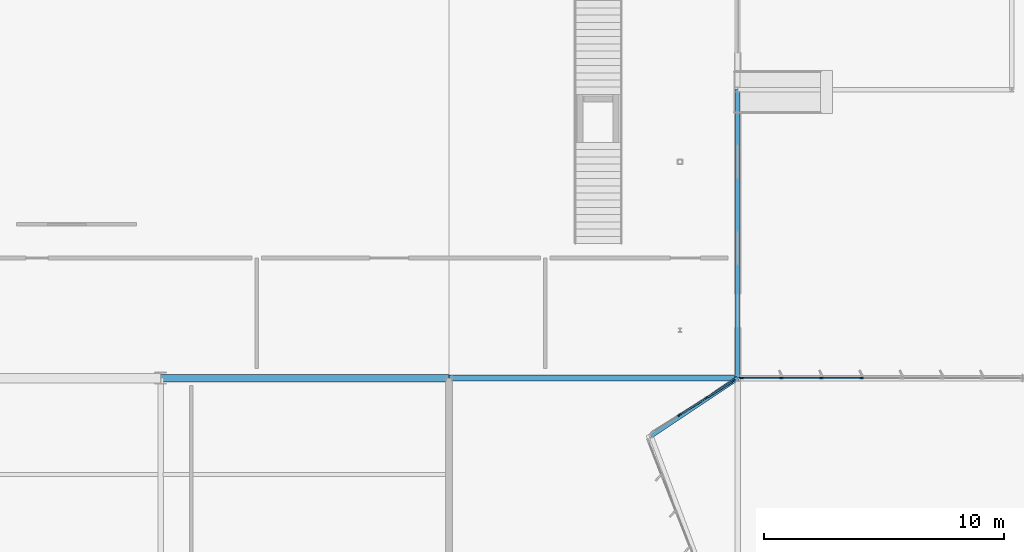
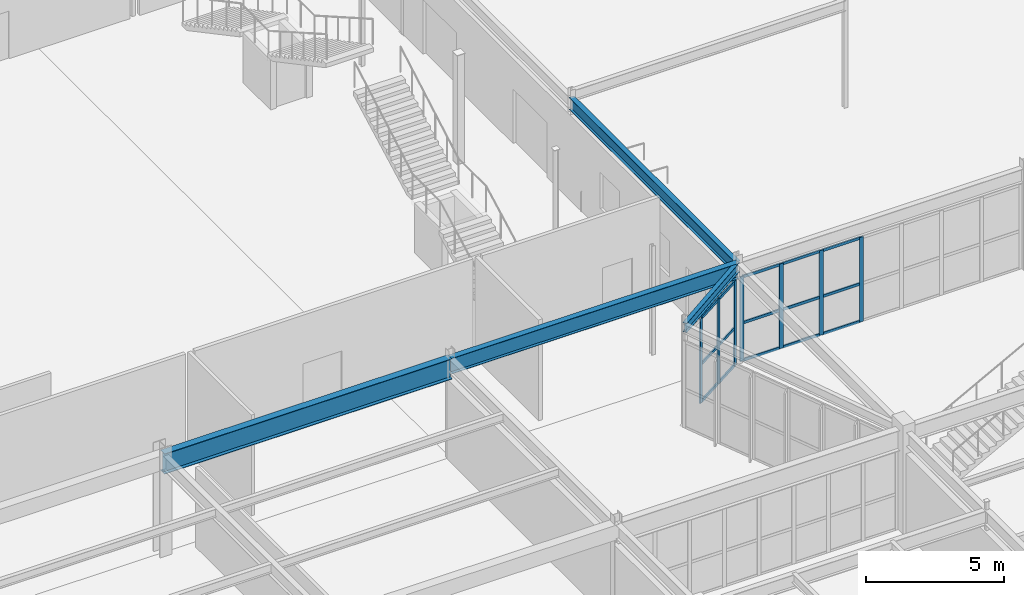
# One storey, part 94 of 199: 22 members, 4 beams, 2 elements without a shape of their own.
"""IFC4 building model written with IfcOpenShell, lengths in metres."""

import ifcopenshell
import ifcopenshell.guid

model = None  # the IFC model being written
_history = None  # IfcOwnerHistory: only IFC2X3 demands one
_inside = {}  # id of a spatial element -> (the spatial element, [elements in it])
_under = {}  # id of a project, library or spatial element -> (it, [spatial elements below it])
_declared = {}  # id of a project -> (the project, [libraries it declares])
_typed = {}  # id of a type object -> (the type object, [elements of that type])
_made_of = {}  # id of a material, layer set ... -> (it, [elements and type objects made of it])


def new_model(schema):
    """Start an empty IFC model of exactly this schema.

    Asked for "IFC4X3", IfcOpenShell would pick the latest addendum, in which some entities
    have other attributes; the version numbers below select the first issue.
    IFC2X3 requires an IfcOwnerHistory on every rooted entity: one is made here for all.
    """
    global model, _history
    if schema == "IFC4X3":
        model = ifcopenshell.file(schema_version=(4, 3, 0, 0))
    else:
        model = ifcopenshell.file(schema=schema)
    _inside.clear()
    _under.clear()
    _declared.clear()
    _typed.clear()
    _made_of.clear()
    _history = None
    if model.schema == "IFC2X3":
        org = make("IfcOrganization", Name="unknown")
        user = make(
            "IfcPersonAndOrganization",
            ThePerson=make("IfcPerson", FamilyName="unknown"),
            TheOrganization=org,
        )
        app = make(
            "IfcApplication",
            ApplicationDeveloper=org,
            Version="unknown",
            ApplicationFullName="unknown",
            ApplicationIdentifier="unknown",
        )
        _history = make(
            "IfcOwnerHistory",
            OwningUser=user,
            OwningApplication=app,
            ChangeAction="ADDED",
            CreationDate=0,
        )
    return model


def make(cls, **values):
    """One entity of the class cls with the attributes given. An attribute that is None is left unset."""
    return model.create_entity(
        cls, **{name: value for name, value in values.items() if value is not None}
    )


def rooted(cls, **values):
    """An entity with a GlobalId (a new one), such as an element, a storey or a relation."""
    return make(cls, GlobalId=ifcopenshell.guid.new(), OwnerHistory=_history, **values)


def si_unit(unit_type, name, prefix=None):
    """IfcSIUnit, for example si_unit("LENGTHUNIT", "METRE", prefix="MILLI")."""
    return make("IfcSIUnit", UnitType=unit_type, Prefix=prefix, Name=name)


def assignment(units):
    """IfcUnitAssignment: the units of a project."""
    return None if units is None else make("IfcUnitAssignment", Units=units)


def point(xyz):
    """IfcCartesianPoint."""
    return None if xyz is None else make("IfcCartesianPoint", Coordinates=xyz)


def direction(xyz):
    """IfcDirection."""
    return None if xyz is None else make("IfcDirection", DirectionRatios=xyz)


def frame(location, z_axis=None, x_axis=None):
    """IfcAxis2Placement3D, a coordinate frame: its origin and axes. An axis left out is left unset."""
    return make(
        "IfcAxis2Placement3D",
        Location=point(location),
        Axis=direction(z_axis),
        RefDirection=direction(x_axis),
    )


def frame_2d(location, x_axis=None):
    """IfcAxis2Placement2D, a coordinate frame in the plane: its origin and x axis."""
    return make(
        "IfcAxis2Placement2D", Location=point(location), RefDirection=direction(x_axis)
    )


def origin():
    """The frame at (0, 0, 0) with its axes left unset."""
    return frame((0.0, 0.0, 0.0))


def origin_2d():
    """The frame at (0, 0) in the plane with its x axis left unset."""
    return frame_2d((0.0, 0.0))


def place(relative_to, where):
    """IfcLocalPlacement: puts the frame where relative to a parent placement (None: the world)."""
    return make(
        "IfcLocalPlacement", PlacementRelTo=relative_to, RelativePlacement=where
    )


def context(
    kind, dimensions, precision=None, world=None, true_north=None, identifier=None
):
    """IfcGeometricRepresentationContext, for example the 3D "Model" context."""
    return make(
        "IfcGeometricRepresentationContext",
        ContextIdentifier=identifier,
        ContextType=kind,
        CoordinateSpaceDimension=dimensions,
        Precision=precision,
        WorldCoordinateSystem=world,
        TrueNorth=true_north,
    )


def subcontext(parent, identifier, kind, view, scale=None):
    """IfcGeometricRepresentationSubContext, for example "Body" below "Model"."""
    return make(
        "IfcGeometricRepresentationSubContext",
        ContextIdentifier=identifier,
        ContextType=kind,
        ParentContext=parent,
        TargetScale=scale,
        TargetView=view,
    )


def project(units=None, contexts=None):
    """IfcProject with its units and contexts."""
    return rooted(
        "IfcProject",
        Name="project",
        RepresentationContexts=contexts,
        UnitsInContext=assignment(units),
    )


def spatial(cls, under=None, at=None, **own):
    """A site, building, storey or space (cls), placed at a placement, below another one or the project."""
    s = rooted(cls, ObjectPlacement=at, **own)
    if under is not None:
        _under.setdefault(under.id(), (under, []))[1].append(s)
    return s


def profile(cls, at=None, kind="AREA", **sizes):
    """A parametric profile (cls). Its sizes go by their IFC names, for example OverallWidth=200.0."""
    return make(cls, ProfileType=kind, Position=at, **sizes)


def rectangle(**sizes):
    """IfcRectangleProfileDef."""
    return profile("IfcRectangleProfileDef", **sizes)


def i_section(**sizes):
    """IfcIShapeProfileDef."""
    return profile("IfcIShapeProfileDef", **sizes)


def extrude(swept, where, along, depth):
    """IfcExtrudedAreaSolid: the profile swept, set in the frame where, extruded along a direction by depth."""
    return make(
        "IfcExtrudedAreaSolid",
        SweptArea=swept,
        Position=where,
        ExtrudedDirection=direction(along),
        Depth=depth,
    )


def shape(context_of_items, identifier, shape_type, items):
    """IfcShapeRepresentation: the items that make up one representation, for example the "Body"."""
    return make(
        "IfcShapeRepresentation",
        ContextOfItems=context_of_items,
        RepresentationIdentifier=identifier,
        RepresentationType=shape_type,
        Items=items,
    )


def material(Name=None, Category=None):
    """IfcMaterial."""
    return make("IfcMaterial", Name=Name, Category=Category)


def layer(
    of_material, thickness, ventilated=None, Name=None, Category=None, Priority=None
):
    """IfcMaterialLayer: one layer of a wall or slab, of a material (None: an air gap)."""
    return make(
        "IfcMaterialLayer",
        Material=of_material,
        LayerThickness=thickness,
        IsVentilated=ventilated,
        Name=Name,
        Category=Category,
        Priority=Priority,
    )


def layer_set(layers, Name=None):
    """IfcMaterialLayerSet."""
    return make("IfcMaterialLayerSet", MaterialLayers=layers, LayerSetName=Name)


def material_profile(
    of_material, cross_section, Name=None, Category=None, Priority=None
):
    """IfcMaterialProfile: a cross section and its material."""
    return make(
        "IfcMaterialProfile",
        Name=Name,
        Material=of_material,
        Profile=cross_section,
        Priority=Priority,
        Category=Category,
    )


def profile_set(profiles, Name=None, composite=None):
    """IfcMaterialProfileSet."""
    return make(
        "IfcMaterialProfileSet",
        Name=Name,
        MaterialProfiles=profiles,
        CompositeProfile=composite,
    )


def made_of(thing, what):
    """Note that an element or type object is made of a material, layer set ...; save() writes the relation."""
    if what is not None:
        _made_of.setdefault(what.id(), (what, []))[1].append(thing)
    return thing


def type_object(cls, material=None, **own):
    """A type object (cls), such as IfcWallType, which elements share."""
    return made_of(rooted(cls, **own), material)


def element(
    cls,
    number,
    at=None,
    inside=None,
    cuts=None,
    type_object=None,
    material=None,
    context=None,
    identifier="Body",
    shape_type=None,
    held_by="IfcProductDefinitionShape",
    body=None,
    shapes=None,
    **own,
):
    """One element of the class cls, such as IfcWall. Its Tag is "e" and its number.

    at: its placement. inside: the storey or other place that contains it. cuts: it is an
    opening in that element (IfcRelVoidsElement). A single representation is given by context,
    identifier, shape_type and body (its items); several are given by shapes. held_by: the class
    of the entity that holds the representations. save() writes the other relations.
    """
    e = rooted(cls, Tag="e%d" % number, ObjectPlacement=at, **own)
    if body is not None:
        shapes = [shape(context, identifier, shape_type, body)]
    if shapes is not None:
        e.Representation = make(held_by, Representations=shapes)
    if inside is not None:
        _inside.setdefault(inside.id(), (inside, []))[1].append(e)
    if cuts is not None:
        rooted(
            "IfcRelVoidsElement", RelatingBuildingElement=cuts, RelatedOpeningElement=e
        )
    if type_object is not None:
        _typed.setdefault(type_object.id(), (type_object, []))[1].append(e)
    return made_of(e, material)


def aggregate(whole, parts):
    """IfcRelAggregates: a whole, such as a stair, and the parts it consists of."""
    return rooted("IfcRelAggregates", RelatingObject=whole, RelatedObjects=parts)


def save(model, path):
    """Write the relations noted so far, then the file.

    IfcRelAggregates (storeys below a building ...), IfcRelContainedInSpatialStructure (elements
    in a storey), IfcRelDefinesByType, IfcRelAssociatesMaterial and IfcRelDeclares: one each for
    every whole, place, type object, material and project.
    """
    for whole, parts in _under.values():
        aggregate(whole, parts)
    for where, things in _inside.values():
        rooted(
            "IfcRelContainedInSpatialStructure",
            RelatedElements=things,
            RelatingStructure=where,
        )
    for kind, things in _typed.values():
        rooted("IfcRelDefinesByType", RelatedObjects=things, RelatingType=kind)
    for what, things in _made_of.values():
        rooted("IfcRelAssociatesMaterial", RelatedObjects=things, RelatingMaterial=what)
    for by, libraries in _declared.values():
        rooted("IfcRelDeclares", RelatingContext=by, RelatedDefinitions=libraries)
    model.write(path)


model = new_model("IFC4")

# Units and contexts
model_context = context("Model", 3, precision=1e-05, world=origin(), true_north=direction((0.0, 1.0)))
body_context = subcontext(model_context, "Body", "Model", "MODEL_VIEW")
ifc_project = project(units=[si_unit("LENGTHUNIT", "METRE"), si_unit("AREAUNIT", "SQUARE_METRE"), si_unit("VOLUMEUNIT", "CUBIC_METRE"), si_unit("PLANEANGLEUNIT", "RADIAN"), si_unit("MASSUNIT", "GRAM", prefix="KILO")], contexts=[model_context])

# Site, building, storey
site_placement = place(None, origin())
site = spatial("IfcSite", under=ifc_project, at=site_placement, CompositionType="ELEMENT")
building_placement = place(site_placement, origin())
building = spatial("IfcBuilding", under=site, at=building_placement, Name="Tarnwether General Hospital", CompositionType="ELEMENT")
storey_placement = place(building_placement, origin())
storey = spatial("IfcBuildingStorey", under=building, at=storey_placement, Name="L00", CompositionType="ELEMENT", Elevation=0.0)

# Beams
ifc_material_1 = material(Name="Steel Grade 350 (350 MPa)", Category="steel")
ifc_material_profile_1 = material_profile(ifc_material_1, i_section(OverallWidth=0.300048828125, OverallDepth=0.89990234375, WebThickness=0.011962890625, FlangeThickness=0.02001953125, at=origin_2d()), Name="900WB175")
ifc_profile_set_1 = profile_set([ifc_material_profile_1], Name="Steel Grade 350 (350 MPa)")
beam_type_1 = type_object("IfcBeamType", Name="BM-G01", PredefinedType="BEAM", material=ifc_profile_set_1)
beam_1_placement = place(storey_placement, frame((120.0, 45.60009765625, 3.9951171875), z_axis=(1.0, 0.0, 0.0), x_axis=(0.0, 1.0, 0.0)))
element("IfcBeam", 1, at=beam_1_placement, inside=storey, type_object=beam_type_1, Name="Primary Girder BMG-L00-12000_4560-13200_4560-0761", PredefinedType="BEAM", context=body_context, shape_type="SweptSolid", body=[
    extrude(i_section(OverallWidth=0.300048828125, OverallDepth=0.89990234375, WebThickness=0.011962890625, FlangeThickness=0.02001953125, at=origin_2d()), origin(), (0.0, 0.0, 1.0), 12.0),
])
ifc_material_2 = material(Name="Steel Grade 350 (350 MPa)", Category="steel")
ifc_material_profile_2 = material_profile(ifc_material_2, i_section(OverallWidth=0.25, OverallDepth=0.69189453125, WebThickness=0.009033203125, FlangeThickness=0.01611328125, at=origin_2d()), Name="700WB115")
ifc_profile_set_2 = profile_set([ifc_material_profile_2], Name="Steel Grade 350 (350 MPa)")
beam_type_2 = type_object("IfcBeamType", Name="BM-G02", PredefinedType="BEAM", material=ifc_profile_set_2)
beam_2_placement = place(storey_placement, frame((132.0, 45.60009765625, 4.09912109375), z_axis=(1.0, 0.0, 0.0), x_axis=(0.0, 1.0, 0.0)))
element("IfcBeam", 2, at=beam_2_placement, inside=storey, type_object=beam_type_2, Name="Primary Girder BMG-L00-13200_4560-14400_4560-0774", PredefinedType="BEAM", context=body_context, shape_type="SweptSolid", body=[
    extrude(i_section(OverallWidth=0.25, OverallDepth=0.69189453125, WebThickness=0.009033203125, FlangeThickness=0.01611328125, at=origin_2d()), origin(), (0.0, 0.0, 1.0), 12.0),
])
ifc_material_3 = material(Name="Steel Grade 350 (350 MPa)", Category="steel")
ifc_material_profile_3 = material_profile(ifc_material_3, i_section(OverallWidth=0.208984375, OverallDepth=0.532958984375, WebThickness=0.01025390625, FlangeThickness=0.015625, at=origin_2d()), Name="530UB92.4")
ifc_profile_set_3 = profile_set([ifc_material_profile_3], Name="Steel Grade 350 (350 MPa)")
beam_type_3 = type_object("IfcBeamType", Name="BM-G06", PredefinedType="BEAM", material=ifc_profile_set_3)
beam_3_placement = place(storey_placement, frame((144.0, 45.60009765625, 4.178466796875), z_axis=(0.0, 1.0, 0.0), x_axis=(-1.0, 0.0, 0.0)))
element("IfcBeam", 3, at=beam_3_placement, inside=storey, type_object=beam_type_3, Name="Primary Girder BMG-L00-14400_4560-14400_5760-0793", PredefinedType="BEAM", context=body_context, shape_type="SweptSolid", body=[
    extrude(i_section(OverallWidth=0.208984375, OverallDepth=0.532958984375, WebThickness=0.01025390625, FlangeThickness=0.015625, at=origin_2d()), origin(), (0.0, 0.0, 1.0), 12.0),
])
ifc_material_4 = material(Name="Steel Grade 350 (350 MPa)", Category="steel")
ifc_material_profile_4 = material_profile(ifc_material_4, i_section(OverallWidth=0.177978515625, OverallDepth=0.403076171875, WebThickness=0.007568359375, FlangeThickness=0.010986328125, at=origin_2d()), Name="410UB53.7")
ifc_profile_set_4 = profile_set([ifc_material_profile_4], Name="Steel Grade 350 (350 MPa)")
beam_type_4 = type_object("IfcBeamType", Name="BM-SP2", PredefinedType="SPANDREL", material=ifc_profile_set_4)
beam_4_placement = place(storey_placement, frame((140.39990234375, 43.199951171875, 4.243408203125), z_axis=(0.832041613482, 0.554713217289, 0.0), x_axis=(-0.554713217289, 0.832041613482, 0.0)))
element("IfcBeam", 4, at=beam_4_placement, inside=storey, type_object=beam_type_4, Name="Forecourt South Shard Tie BMG-L00-14040_4320-14400_4560-2225", PredefinedType="SPANDREL", context=body_context, shape_type="SweptSolid", body=[
    extrude(i_section(OverallWidth=0.177978515625, OverallDepth=0.403076171875, WebThickness=0.007568359375, FlangeThickness=0.010986328125, at=origin_2d()), origin(), (0.0, 0.0, 1.0), 4.326904296875),
])

# Curtain wall, members
ifc_material_5 = material(Name="Anodised aluminium", Category="aluminium")
ifc_layer = layer(ifc_material_5, 0.159912109375)
ifc_layer_set = layer_set([ifc_layer], Name="Anodised aluminium")
curtain_wall_type = type_object("IfcCurtainWallType", Name="CW-20", PredefinedType="NOTDEFINED", material=ifc_layer_set)
curtain_wall_1_placement = place(storey_placement, origin())
curtain_wall_1 = element("IfcCurtainWall", 5, at=curtain_wall_1_placement, inside=storey, type_object=curtain_wall_type, Name="Curtain Wall CWG-L00-1441_456-0286", PredefinedType="NOTDEFINED")
ifc_material_6 = material(Name="Anodised aluminium", Category="aluminium")
ifc_material_profile_5 = material_profile(ifc_material_6, rectangle(XDim=0.06005859375, YDim=0.159912109375, at=origin_2d()), Name="ALU-MUL-60x160")
ifc_profile_set_5 = profile_set([ifc_material_profile_5], Name="Anodised aluminium")
member_type_1 = type_object("IfcMemberType", Name="CW-ML1", PredefinedType="MULLION", material=ifc_profile_set_5)
member_1_placement = place(storey_placement, frame((144.1650390625, 45.60009765625, 0.0), z_axis=(0.0, 0.0, 1.0), x_axis=(0.0, 1.0, 0.0)))
member_1 = element("IfcMember", 6, at=member_1_placement, type_object=member_type_1, Name="CW-20 mullion 1", PredefinedType="MULLION", context=body_context, shape_type="SweptSolid", body=[
    extrude(rectangle(XDim=0.06005859375, YDim=0.159912109375, at=origin_2d()), origin(), (0.0, 0.0, 1.0), 3.738037109375),
])
member_2_placement = place(storey_placement, frame((145.806884765625, 45.60009765625, 0.0), z_axis=(0.0, 0.0, 1.0), x_axis=(0.0, 1.0, 0.0)))
member_2 = element("IfcMember", 7, at=member_2_placement, type_object=member_type_1, Name="CW-20 mullion 2", PredefinedType="MULLION", context=body_context, shape_type="SweptSolid", body=[
    extrude(rectangle(XDim=0.06005859375, YDim=0.159912109375, at=origin_2d()), origin(), (0.0, 0.0, 1.0), 3.738037109375),
])
member_3_placement = place(storey_placement, frame((147.478759765625, 45.60009765625, 0.0), z_axis=(0.0, 0.0, 1.0), x_axis=(0.0, 1.0, 0.0)))
member_3 = element("IfcMember", 8, at=member_3_placement, type_object=member_type_1, Name="CW-20 mullion 3", PredefinedType="MULLION", context=body_context, shape_type="SweptSolid", body=[
    extrude(rectangle(XDim=0.06005859375, YDim=0.159912109375, at=origin_2d()), origin(), (0.0, 0.0, 1.0), 3.738037109375),
])
member_4_placement = place(storey_placement, frame((149.150634765625, 45.60009765625, 0.0), z_axis=(0.0, 0.0, 1.0), x_axis=(0.0, 1.0, 0.0)))
member_4 = element("IfcMember", 9, at=member_4_placement, type_object=member_type_1, Name="CW-20 mullion 4", PredefinedType="MULLION", context=body_context, shape_type="SweptSolid", body=[
    extrude(rectangle(XDim=0.06005859375, YDim=0.159912109375, at=origin_2d()), origin(), (0.0, 0.0, 1.0), 3.738037109375),
])

curtain_wall_2_placement = place(storey_placement, origin())
curtain_wall_2 = element("IfcCurtainWall", 10, at=curtain_wall_2_placement, inside=storey, type_object=curtain_wall_type, Name="Curtain Wall CWG-L00-1404_434-0295", PredefinedType="NOTDEFINED")
member_5_placement = place(storey_placement, frame((141.57568359375, 44.068603515625, 0.0), z_axis=(0.0, 0.0, 1.0), x_axis=(-0.534011681059, 0.84547709874, 0.0)))
member_5 = element("IfcMember", 11, at=member_5_placement, type_object=member_type_1, Name="CW-20 mullion 2", PredefinedType="MULLION", context=body_context, shape_type="SweptSolid", body=[
    extrude(rectangle(XDim=0.06005859375, YDim=0.159912109375, at=origin_2d()), origin(), (0.0, 0.0, 1.0), 3.738037109375),
])
member_6_placement = place(storey_placement, frame((142.71044921875, 44.785400390625, 0.0), z_axis=(0.0, 0.0, 1.0), x_axis=(-0.534011681059, 0.84547709874, 0.0)))
member_6 = element("IfcMember", 12, at=member_6_placement, type_object=member_type_1, Name="CW-20 mullion 3", PredefinedType="MULLION", context=body_context, shape_type="SweptSolid", body=[
    extrude(rectangle(XDim=0.06005859375, YDim=0.159912109375, at=origin_2d()), origin(), (0.0, 0.0, 1.0), 3.738037109375),
])
member_7_placement = place(storey_placement, frame((143.819580078125, 45.486083984375, 0.0), z_axis=(0.0, 0.0, 1.0), x_axis=(-0.534011681059, 0.84547709874, 0.0)))
member_7 = element("IfcMember", 13, at=member_7_placement, type_object=member_type_1, Name="CW-20 mullion 4", PredefinedType="MULLION", context=body_context, shape_type="SweptSolid", body=[
    extrude(rectangle(XDim=0.06005859375, YDim=0.159912109375, at=origin_2d()), origin(), (0.0, 0.0, 1.0), 3.738037109375),
])

# Member
ifc_material_7 = material(Name="Anodised aluminium", Category="aluminium")
ifc_material_profile_6 = material_profile(ifc_material_7, rectangle(XDim=0.06005859375, YDim=0.1201171875, at=origin_2d()), Name="ALU-TRN-60x120")
ifc_profile_set_6 = profile_set([ifc_material_profile_6], Name="Anodised aluminium")
member_type_2 = type_object("IfcMemberType", Name="CW-TR1", PredefinedType="USERDEFINED", material=ifc_profile_set_6)
member_8_placement = place(storey_placement, frame((144.195068359375, 45.60009765625, 0.030029296875), z_axis=(1.0, 0.0, 0.0), x_axis=(0.0, 1.0, 0.0)))
member_8 = element("IfcMember", 14, at=member_8_placement, type_object=member_type_2, Name="CW-20 transom 1.1", ObjectType="TRANSOM", PredefinedType="USERDEFINED", context=body_context, shape_type="SweptSolid", body=[
    extrude(rectangle(XDim=0.06005859375, YDim=0.1201171875, at=origin_2d()), origin(), (0.0, 0.0, 1.0), 1.581787109375),
])

member_9_placement = place(storey_placement, frame((144.195068359375, 45.60009765625, 1.68212890625), z_axis=(1.0, 0.0, 0.0), x_axis=(0.0, 1.0, 0.0)))
member_9 = element("IfcMember", 15, at=member_9_placement, type_object=member_type_2, Name="CW-20 transom 1.2", ObjectType="TRANSOM", PredefinedType="USERDEFINED", context=body_context, shape_type="SweptSolid", body=[
    extrude(rectangle(XDim=0.06005859375, YDim=0.1201171875, at=origin_2d()), origin(), (0.0, 0.0, 1.0), 1.581787109375),
])

member_10_placement = place(storey_placement, frame((144.195068359375, 45.60009765625, 3.7080078125), z_axis=(1.0, 0.0, 0.0), x_axis=(0.0, 1.0, 0.0)))
member_10 = element("IfcMember", 16, at=member_10_placement, type_object=member_type_2, Name="CW-20 transom 1.3", ObjectType="TRANSOM", PredefinedType="USERDEFINED", context=body_context, shape_type="SweptSolid", body=[
    extrude(rectangle(XDim=0.06005859375, YDim=0.1201171875, at=origin_2d()), origin(), (0.0, 0.0, 1.0), 1.581787109375),
])

member_11_placement = place(storey_placement, frame((145.8369140625, 45.60009765625, 0.030029296875), z_axis=(1.0, 0.0, 0.0), x_axis=(0.0, 1.0, 0.0)))
member_11 = element("IfcMember", 17, at=member_11_placement, type_object=member_type_2, Name="CW-20 transom 2.1", ObjectType="TRANSOM", PredefinedType="USERDEFINED", context=body_context, shape_type="SweptSolid", body=[
    extrude(rectangle(XDim=0.06005859375, YDim=0.1201171875, at=origin_2d()), origin(), (0.0, 0.0, 1.0), 1.61181640625),
])

member_12_placement = place(storey_placement, frame((145.8369140625, 45.60009765625, 1.68212890625), z_axis=(1.0, 0.0, 0.0), x_axis=(0.0, 1.0, 0.0)))
member_12 = element("IfcMember", 18, at=member_12_placement, type_object=member_type_2, Name="CW-20 transom 2.2", ObjectType="TRANSOM", PredefinedType="USERDEFINED", context=body_context, shape_type="SweptSolid", body=[
    extrude(rectangle(XDim=0.06005859375, YDim=0.1201171875, at=origin_2d()), origin(), (0.0, 0.0, 1.0), 1.61181640625),
])

member_13_placement = place(storey_placement, frame((145.8369140625, 45.60009765625, 3.7080078125), z_axis=(1.0, 0.0, 0.0), x_axis=(0.0, 1.0, 0.0)))
member_13 = element("IfcMember", 19, at=member_13_placement, type_object=member_type_2, Name="CW-20 transom 2.3", ObjectType="TRANSOM", PredefinedType="USERDEFINED", context=body_context, shape_type="SweptSolid", body=[
    extrude(rectangle(XDim=0.06005859375, YDim=0.1201171875, at=origin_2d()), origin(), (0.0, 0.0, 1.0), 1.61181640625),
])

member_14_placement = place(storey_placement, frame((147.5087890625, 45.60009765625, 0.030029296875), z_axis=(1.0, 0.0, 0.0), x_axis=(0.0, 1.0, 0.0)))
member_14 = element("IfcMember", 20, at=member_14_placement, type_object=member_type_2, Name="CW-20 transom 3.1", ObjectType="TRANSOM", PredefinedType="USERDEFINED", context=body_context, shape_type="SweptSolid", body=[
    extrude(rectangle(XDim=0.06005859375, YDim=0.1201171875, at=origin_2d()), origin(), (0.0, 0.0, 1.0), 1.61181640625),
])

member_15_placement = place(storey_placement, frame((147.5087890625, 45.60009765625, 1.68212890625), z_axis=(1.0, 0.0, 0.0), x_axis=(0.0, 1.0, 0.0)))
member_15 = element("IfcMember", 21, at=member_15_placement, type_object=member_type_2, Name="CW-20 transom 3.2", ObjectType="TRANSOM", PredefinedType="USERDEFINED", context=body_context, shape_type="SweptSolid", body=[
    extrude(rectangle(XDim=0.06005859375, YDim=0.1201171875, at=origin_2d()), origin(), (0.0, 0.0, 1.0), 1.61181640625),
])

member_16_placement = place(storey_placement, frame((147.5087890625, 45.60009765625, 3.7080078125), z_axis=(1.0, 0.0, 0.0), x_axis=(0.0, 1.0, 0.0)))
member_16 = element("IfcMember", 22, at=member_16_placement, type_object=member_type_2, Name="CW-20 transom 3.3", ObjectType="TRANSOM", PredefinedType="USERDEFINED", context=body_context, shape_type="SweptSolid", body=[
    extrude(rectangle(XDim=0.06005859375, YDim=0.1201171875, at=origin_2d()), origin(), (0.0, 0.0, 1.0), 1.61181640625),
])

aggregate(curtain_wall_1, [member_1, member_2, member_3, member_4, member_8, member_9, member_10, member_11, member_12, member_13, member_14, member_15, member_16])

member_17_placement = place(storey_placement, frame((141.60107421875, 44.084716796875, 0.030029296875), z_axis=(0.845507002775, 0.533964332383, 0.0), x_axis=(-0.533964332383, 0.845507002775, 0.0)))
member_17 = element("IfcMember", 23, at=member_17_placement, type_object=member_type_2, Name="CW-20 transom 2.1", ObjectType="TRANSOM", PredefinedType="USERDEFINED", context=body_context, shape_type="SweptSolid", body=[
    extrude(rectangle(XDim=0.06005859375, YDim=0.1201171875, at=origin_2d()), origin(), (0.0, 0.0, 1.0), 1.281982421875),
])

member_18_placement = place(storey_placement, frame((141.60107421875, 44.084716796875, 1.68212890625), z_axis=(0.845507002775, 0.533964332383, 0.0), x_axis=(-0.533964332383, 0.845507002775, 0.0)))
member_18 = element("IfcMember", 24, at=member_18_placement, type_object=member_type_2, Name="CW-20 transom 2.2", ObjectType="TRANSOM", PredefinedType="USERDEFINED", context=body_context, shape_type="SweptSolid", body=[
    extrude(rectangle(XDim=0.06005859375, YDim=0.1201171875, at=origin_2d()), origin(), (0.0, 0.0, 1.0), 1.281982421875),
])

member_19_placement = place(storey_placement, frame((141.60107421875, 44.084716796875, 3.7080078125), z_axis=(0.845507002775, 0.533964332383, 0.0), x_axis=(-0.533964332383, 0.845507002775, 0.0)))
member_19 = element("IfcMember", 25, at=member_19_placement, type_object=member_type_2, Name="CW-20 transom 2.3", ObjectType="TRANSOM", PredefinedType="USERDEFINED", context=body_context, shape_type="SweptSolid", body=[
    extrude(rectangle(XDim=0.06005859375, YDim=0.1201171875, at=origin_2d()), origin(), (0.0, 0.0, 1.0), 1.281982421875),
])

member_20_placement = place(storey_placement, frame((142.735595703125, 44.80126953125, 0.030029296875), z_axis=(0.845447201073, 0.534059013778, 0.0), x_axis=(-0.534059013778, 0.845447201073, 0.0)))
member_20 = element("IfcMember", 26, at=member_20_placement, type_object=member_type_2, Name="CW-20 transom 3.1", ObjectType="TRANSOM", PredefinedType="USERDEFINED", context=body_context, shape_type="SweptSolid", body=[
    extrude(rectangle(XDim=0.06005859375, YDim=0.1201171875, at=origin_2d()), origin(), (0.0, 0.0, 1.0), 1.252197265625),
])

member_21_placement = place(storey_placement, frame((142.735595703125, 44.80126953125, 1.68212890625), z_axis=(0.845447201073, 0.534059013778, 0.0), x_axis=(-0.534059013778, 0.845447201073, 0.0)))
member_21 = element("IfcMember", 27, at=member_21_placement, type_object=member_type_2, Name="CW-20 transom 3.2", ObjectType="TRANSOM", PredefinedType="USERDEFINED", context=body_context, shape_type="SweptSolid", body=[
    extrude(rectangle(XDim=0.06005859375, YDim=0.1201171875, at=origin_2d()), origin(), (0.0, 0.0, 1.0), 1.252197265625),
])

member_22_placement = place(storey_placement, frame((142.735595703125, 44.80126953125, 3.7080078125), z_axis=(0.845447201073, 0.534059013778, 0.0), x_axis=(-0.534059013778, 0.845447201073, 0.0)))
member_22 = element("IfcMember", 28, at=member_22_placement, type_object=member_type_2, Name="CW-20 transom 3.3", ObjectType="TRANSOM", PredefinedType="USERDEFINED", context=body_context, shape_type="SweptSolid", body=[
    extrude(rectangle(XDim=0.06005859375, YDim=0.1201171875, at=origin_2d()), origin(), (0.0, 0.0, 1.0), 1.252197265625),
])

aggregate(curtain_wall_2, [member_5, member_6, member_7, member_17, member_18, member_19, member_20, member_21, member_22])

save(model, "model.ifc")
